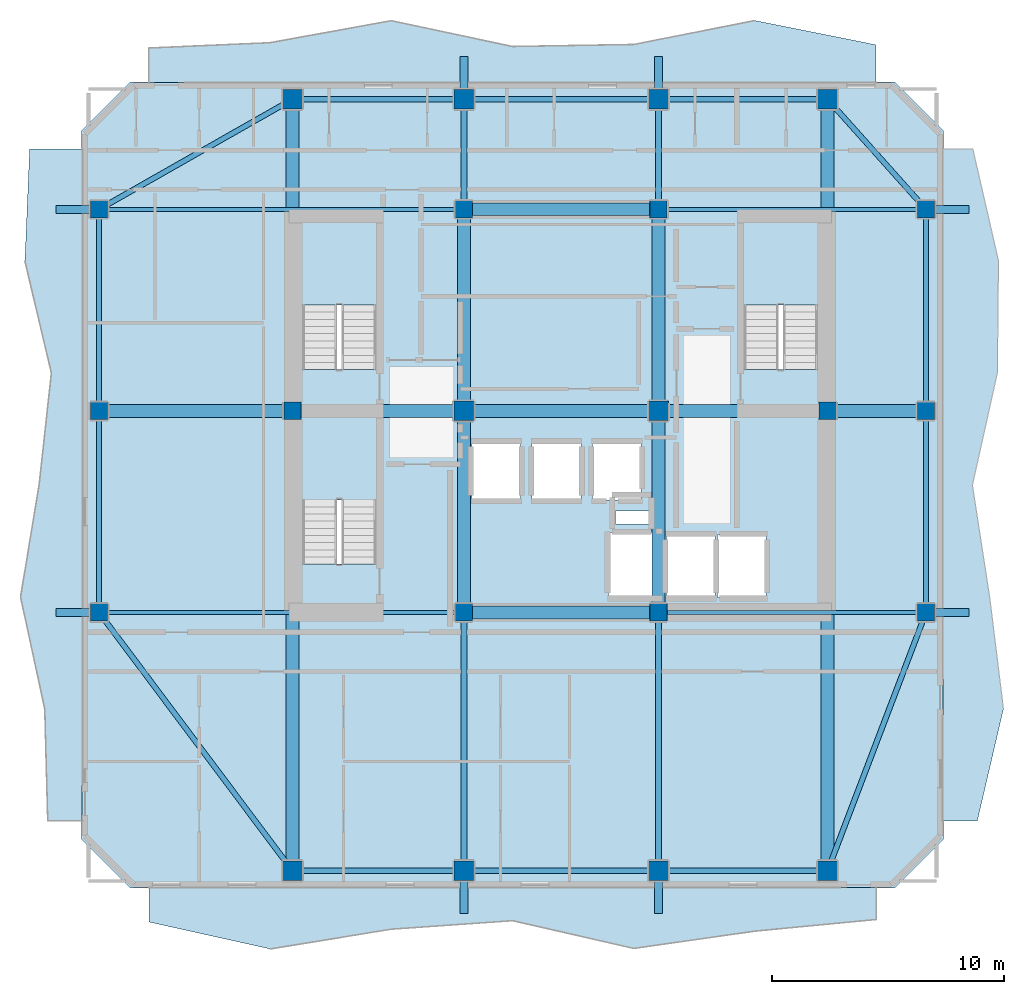
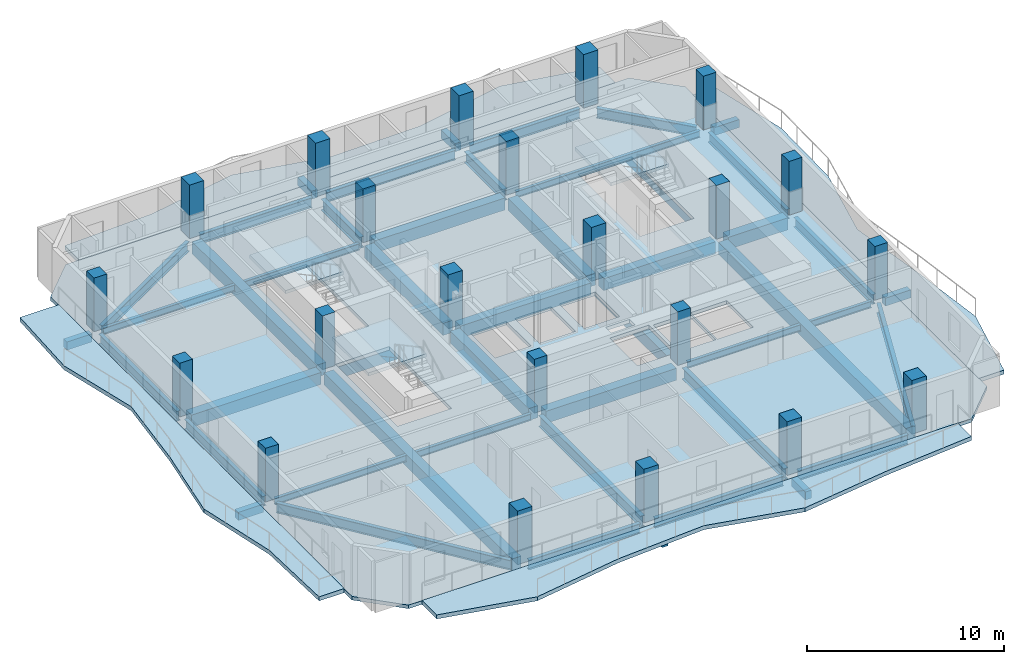
# One storey, part 1 of 10: 45 beams, 22 columns, 8 slabs, 3 elements without a shape of their own.
"""IFC4 building model written with IfcOpenShell, lengths in metres."""

from ifc_helpers import new_model, si_unit, direction, frame, origin, origin_2d, place, context, subcontext, project, spatial, polyline, rectangle, i_section, outline, extrude, material, layer, layer_set, material_profile, profile_set, type_object, element, aggregate, save


model = new_model("IFC4")

# Units and contexts
model_context = context("Model", 3, precision=1e-05, world=origin(), true_north=direction((0.0, 1.0)))
body_context = subcontext(model_context, "Body", "Model", "MODEL_VIEW")
ifc_project = project(units=[si_unit("LENGTHUNIT", "METRE"), si_unit("AREAUNIT", "SQUARE_METRE"), si_unit("VOLUMEUNIT", "CUBIC_METRE"), si_unit("PLANEANGLEUNIT", "RADIAN"), si_unit("MASSUNIT", "GRAM", prefix="KILO")], contexts=[model_context])

# Site, building, storey
site_placement = place(None, origin())
site = spatial("IfcSite", under=ifc_project, at=site_placement, CompositionType="ELEMENT")
building_placement = place(site_placement, origin())
building = spatial("IfcBuilding", under=site, at=building_placement, Name="Solanera Arch Residences", CompositionType="ELEMENT")
storey_placement = place(building_placement, frame((0.0, 0.0, 203.43994140625)))
storey = spatial("IfcBuildingStorey", under=building, at=storey_placement, Name="L59", CompositionType="ELEMENT", Elevation=203.43994140625)

# Columns
ifc_material_1 = material(Name="Concrete C40/50 (f'c = 45 MPa)", Category="concrete")
ifc_material_profile_1 = material_profile(ifc_material_1, rectangle(XDim=0.75, YDim=0.75, at=origin_2d()))
ifc_profile_set_1 = profile_set([ifc_material_profile_1], Name="Concrete C40/50 (f'c = 45 MPa)")
column_type_1 = type_object("IfcColumnType", Name="Structural Column RC-COL-750X750", PredefinedType="COLUMN", material=ifc_profile_set_1)
for number, where, z_axis, x_axis, name in (
    (1, (20.800048828125, 22.0, 0.0), (0.0, 0.0, 1.0), (1.0, 0.0, 0.0), "COL-L59-CB-SW"),
    (2, (29.199951171875, 22.0, 0.0), (0.0, 0.0, 1.0), (1.0, 0.0, 0.0), "COL-L59-CB-SE"),
    (3, (20.800048828125, 39.39990234375, 0.0), (0.0, 0.0, 1.0), (1.0, 0.0, 0.0), "COL-L59-CB-NW"),
    (4, (29.199951171875, 39.39990234375, 0.0), (0.0, 0.0, 1.0), (1.0, 0.0, 0.0), "COL-L59-CB-NE"),
    (5, (13.39990234375, 30.699951171875, 0.0), (0.0, 0.0, 1.0), (1.0, 0.0, 0.0), "COL-L59-CB-WW"),
    (6, (36.5, 30.699951171875, 0.0), (0.0, 0.0, 1.0), (1.0, 0.0, 0.0), "COL-L59-CB-EE"),
    (7, (5.050048828125, 22.0, 0.0), (0.0, 0.0, 1.0), (1.0, 0.0, 0.0), "COL-L59-TWR-09"),
    (8, (40.75, 22.0, 0.0), (0.0, 0.0, 1.0), (1.0, 0.0, 0.0), "COL-L59-TWR-10"),
    (9, (5.050048828125, 30.699951171875, 0.0), (0.0, 0.0, 1.0), (1.0, 0.0, 0.0), "COL-L59-TWR-11"),
    (10, (40.75, 30.699951171875, 0.0), (0.0, 0.0, 1.0), (1.0, 0.0, 0.0), "COL-L59-TWR-12"),
    (11, (5.050048828125, 39.39990234375, 0.0), (0.0, 0.0, 1.0), (1.0, 0.0, 0.0), "COL-L59-TWR-13"),
    (12, (40.75, 39.39990234375, 0.0), (0.0, 0.0, 1.0), (1.0, 0.0, 0.0), "COL-L59-TWR-14"),
):
    element("IfcColumn", number, at=place(storey_placement, frame(where, z_axis=z_axis, x_axis=x_axis)), inside=storey, type_object=column_type_1, Name=name, PredefinedType="COLUMN", context=body_context, shape_type="SweptSolid", body=[
        extrude(rectangle(XDim=0.75, YDim=0.75, at=origin_2d()), origin(), (0.0, 0.0, 1.0), 3.320068359375),
    ])
ifc_material_2 = material(Name="Concrete C40/50 (f'c = 45 MPa)", Category="concrete")
ifc_material_profile_2 = material_profile(ifc_material_2, rectangle(XDim=0.85009765625, YDim=0.85009765625, at=origin_2d()))
ifc_profile_set_2 = profile_set([ifc_material_profile_2], Name="Concrete C40/50 (f'c = 45 MPa)")
column_type_2 = type_object("IfcColumnType", Name="Structural Column RC-COL-850X850", PredefinedType="COLUMN", material=ifc_profile_set_2)
for number, where, z_axis, x_axis, name in (
    (13, (20.800048828125, 30.699951171875, 0.0), (0.0, 0.0, 1.0), (1.0, 0.0, 0.0), "COL-L59-CORE-W"),
    (14, (29.199951171875, 30.699951171875, 0.0), (0.0, 0.0, 1.0), (1.0, 0.0, 0.0), "COL-L59-CORE-E"),
    (15, (13.39990234375, 10.85009765625, 0.0), (0.0, 0.0, 1.0), (1.0, 0.0, 0.0), "COL-L59-TWR-01"),
    (16, (13.39990234375, 44.14990234375, 0.0), (0.0, 0.0, 1.0), (1.0, 0.0, 0.0), "COL-L59-TWR-02"),
    (17, (20.800048828125, 10.85009765625, 0.0), (0.0, 0.0, 1.0), (1.0, 0.0, 0.0), "COL-L59-TWR-03"),
    (18, (20.800048828125, 44.14990234375, 0.0), (0.0, 0.0, 1.0), (1.0, 0.0, 0.0), "COL-L59-TWR-04"),
    (19, (29.199951171875, 10.85009765625, 0.0), (0.0, 0.0, 1.0), (1.0, 0.0, 0.0), "COL-L59-TWR-05"),
    (20, (29.199951171875, 44.14990234375, 0.0), (0.0, 0.0, 1.0), (1.0, 0.0, 0.0), "COL-L59-TWR-06"),
    (21, (36.5, 10.85009765625, 0.0), (0.0, 0.0, 1.0), (1.0, 0.0, 0.0), "COL-L59-TWR-07"),
    (22, (36.5, 44.14990234375, 0.0), (0.0, 0.0, 1.0), (1.0, 0.0, 0.0), "COL-L59-TWR-08"),
):
    element("IfcColumn", number, at=place(storey_placement, frame(where, z_axis=z_axis, x_axis=x_axis)), inside=storey, type_object=column_type_2, Name=name, PredefinedType="COLUMN", context=body_context, shape_type="SweptSolid", body=[
        extrude(rectangle(XDim=0.85009765625, YDim=0.85009765625, at=origin_2d()), origin(), (0.0, 0.0, 1.0), 3.320068359375),
    ])

# Beams
ifc_material_3 = material(Name="Concrete C40/50 (f'c = 45 MPa)", Category="concrete")
ifc_material_profile_3 = material_profile(ifc_material_3, rectangle(XDim=0.35009765625, YDim=0.5, at=origin_2d()))
ifc_profile_set_3 = profile_set([ifc_material_profile_3], Name="Concrete C40/50 (f'c = 45 MPa)")
beam_type_1 = type_object("IfcBeamType", Name="BM-BALC-RIB", PredefinedType="BEAM", material=ifc_profile_set_3)
for number, where, z_axis, x_axis, name in (
    (23, (20.800048828125, 9.0, -0.5), (0.0, 1.0, 0.0), (-1.0, 0.0, 0.0), "BM-L59-BRIB-S1"),
    (24, (29.199951171875, 9.0, -0.5), (0.0, 1.0, 0.0), (-1.0, 0.0, 0.0), "BM-L59-BRIB-S2"),
    (25, (20.800048828125, 44.574951171875, -0.5), (0.0, 1.0, 0.0), (-1.0, 0.0, 0.0), "BM-L59-BRIB-N1"),
    (26, (29.199951171875, 44.574951171875, -0.5), (0.0, 1.0, 0.0), (-1.0, 0.0, 0.0), "BM-L59-BRIB-N2"),
):
    element("IfcBeam", number, at=place(storey_placement, frame(where, z_axis=z_axis, x_axis=x_axis)), inside=storey, type_object=beam_type_1, Name=name, PredefinedType="BEAM", context=body_context, shape_type="SweptSolid", body=[
        extrude(rectangle(XDim=0.35009765625, YDim=0.5, at=origin_2d()), origin(), (0.0, 0.0, 1.0), 1.425048828125),
    ])
for number, where, z_axis, x_axis, name in (
    (27, (41.125, 22.0, -0.5), (1.0, 0.0, 0.0), (0.0, 1.0, 0.0), "BM-L59-BRIB-E1"),
    (28, (41.125, 39.39990234375, -0.5), (1.0, 0.0, 0.0), (0.0, 1.0, 0.0), "BM-L59-BRIB-E2"),
    (29, (3.199951171875, 22.0, -0.5), (1.0, 0.0, 0.0), (0.0, 1.0, 0.0), "BM-L59-BRIB-W1"),
    (30, (3.199951171875, 39.39990234375, -0.5), (1.0, 0.0, 0.0), (0.0, 1.0, 0.0), "BM-L59-BRIB-W2"),
):
    element("IfcBeam", number, at=place(storey_placement, frame(where, z_axis=z_axis, x_axis=x_axis)), inside=storey, type_object=beam_type_1, Name=name, PredefinedType="BEAM", context=body_context, shape_type="SweptSolid", body=[
        extrude(rectangle(XDim=0.35009765625, YDim=0.5, at=origin_2d()), origin(), (0.0, 0.0, 1.0), 1.47509765625),
    ])
ifc_material_4 = material(Name="Concrete C40/50 (f'c = 45 MPa)", Category="concrete")
ifc_material_profile_4 = material_profile(ifc_material_4, rectangle(XDim=0.550048828125, YDim=0.75, at=origin_2d()))
ifc_profile_set_4 = profile_set([ifc_material_profile_4], Name="Concrete C40/50 (f'c = 45 MPa)")
beam_type_2 = type_object("IfcBeamType", Name="Primary Beam RC-BM-550X750", PredefinedType="BEAM", material=ifc_profile_set_4)
beam_1_placement = place(storey_placement, frame((20.800048828125, 22.37890625, -0.594970703125), z_axis=(0.0, 1.0, 0.0), x_axis=(-1.0, 0.0, 0.0)))
element("IfcBeam", 31, at=beam_1_placement, inside=storey, type_object=beam_type_2, Name="BM-L59-CC-S-208", PredefinedType="BEAM", context=body_context, shape_type="SweptSolid", body=[
    extrude(rectangle(XDim=0.550048828125, YDim=0.75, at=origin_2d()), origin(), (0.0, 0.0, 1.0), 7.942138671875),
])
beam_2_placement = place(storey_placement, frame((20.800048828125, 31.0791015625, -0.594970703125), z_axis=(0.0, 1.0, 0.0), x_axis=(-1.0, 0.0, 0.0)))
element("IfcBeam", 32, at=beam_2_placement, inside=storey, type_object=beam_type_2, Name="BM-L59-CC-N-208", PredefinedType="BEAM", context=body_context, shape_type="SweptSolid", body=[
    extrude(rectangle(XDim=0.550048828125, YDim=0.75, at=origin_2d()), origin(), (0.0, 0.0, 1.0), 7.94189453125),
])
beam_3_placement = place(storey_placement, frame((29.199951171875, 22.37890625, -0.594970703125), z_axis=(0.0, 1.0, 0.0), x_axis=(-1.0, 0.0, 0.0)))
element("IfcBeam", 33, at=beam_3_placement, inside=storey, type_object=beam_type_2, Name="BM-L59-CC-S-292", PredefinedType="BEAM", context=body_context, shape_type="SweptSolid", body=[
    extrude(rectangle(XDim=0.550048828125, YDim=0.75, at=origin_2d()), origin(), (0.0, 0.0, 1.0), 7.942138671875),
])
beam_4_placement = place(storey_placement, frame((29.199951171875, 31.0791015625, -0.594970703125), z_axis=(0.0, 1.0, 0.0), x_axis=(-1.0, 0.0, 0.0)))
element("IfcBeam", 34, at=beam_4_placement, inside=storey, type_object=beam_type_2, Name="BM-L59-CC-N-292", PredefinedType="BEAM", context=body_context, shape_type="SweptSolid", body=[
    extrude(rectangle(XDim=0.550048828125, YDim=0.75, at=origin_2d()), origin(), (0.0, 0.0, 1.0), 7.94189453125),
])
for number, where, z_axis, x_axis, name in (
    (35, (21.178955078125, 22.0, -0.594970703125), (1.0, 0.0, 0.0), (0.0, 1.0, 0.0), "BM-L59-CC-M-220"),
    (36, (21.178955078125, 30.699951171875, -0.594970703125), (1.0, 0.0, 0.0), (0.0, 1.0, 0.0), "BM-L59-CC-M-307"),
    (37, (21.178955078125, 39.39990234375, -0.594970703125), (1.0, 0.0, 0.0), (0.0, 1.0, 0.0), "BM-L59-CC-M-394"),
):
    element("IfcBeam", number, at=place(storey_placement, frame(where, z_axis=z_axis, x_axis=x_axis)), inside=storey, type_object=beam_type_2, Name=name, PredefinedType="BEAM", context=body_context, shape_type="SweptSolid", body=[
        extrude(rectangle(XDim=0.550048828125, YDim=0.75, at=origin_2d()), origin(), (0.0, 0.0, 1.0), 7.64208984375),
    ])
beam_5_placement = place(storey_placement, frame((13.779052734375, 30.699951171875, -0.594970703125), z_axis=(1.0, 0.0, 0.0), x_axis=(0.0, 1.0, 0.0)))
element("IfcBeam", 38, at=beam_5_placement, inside=storey, type_object=beam_type_2, Name="BM-L59-CC-W", PredefinedType="BEAM", context=body_context, shape_type="SweptSolid", body=[
    extrude(rectangle(XDim=0.550048828125, YDim=0.75, at=origin_2d()), origin(), (0.0, 0.0, 1.0), 6.641845703125),
])
beam_6_placement = place(storey_placement, frame((29.5791015625, 30.699951171875, -0.594970703125), z_axis=(1.0, 0.0, 0.0), x_axis=(0.0, 1.0, 0.0)))
element("IfcBeam", 39, at=beam_6_placement, inside=storey, type_object=beam_type_2, Name="BM-L59-CC-E", PredefinedType="BEAM", context=body_context, shape_type="SweptSolid", body=[
    extrude(rectangle(XDim=0.550048828125, YDim=0.75, at=origin_2d()), origin(), (0.0, 0.0, 1.0), 6.5419921875),
])
beam_7_placement = place(storey_placement, frame((13.39990234375, 11.279052734375, -0.594970703125), z_axis=(0.0, 1.0, 0.0), x_axis=(-1.0, 0.0, 0.0)))
element("IfcBeam", 40, at=beam_7_placement, inside=storey, type_object=beam_type_2, Name="BM-L59-RAD-OS-134", PredefinedType="BEAM", context=body_context, shape_type="SweptSolid", body=[
    extrude(rectangle(XDim=0.550048828125, YDim=0.75, at=origin_2d()), origin(), (0.0, 0.0, 1.0), 19.0419921875),
])
beam_8_placement = place(storey_placement, frame((13.39990234375, 31.0791015625, -0.594970703125), z_axis=(0.0, 1.0, 0.0), x_axis=(-1.0, 0.0, 0.0)))
element("IfcBeam", 41, at=beam_8_placement, inside=storey, type_object=beam_type_2, Name="BM-L59-RAD-ON-134", PredefinedType="BEAM", context=body_context, shape_type="SweptSolid", body=[
    extrude(rectangle(XDim=0.550048828125, YDim=0.75, at=origin_2d()), origin(), (0.0, 0.0, 1.0), 12.641845703125),
])
beam_9_placement = place(storey_placement, frame((36.5, 11.279052734375, -0.594970703125), z_axis=(0.0, 1.0, 0.0), x_axis=(-1.0, 0.0, 0.0)))
element("IfcBeam", 42, at=beam_9_placement, inside=storey, type_object=beam_type_2, Name="BM-L59-RAD-OS-365", PredefinedType="BEAM", context=body_context, shape_type="SweptSolid", body=[
    extrude(rectangle(XDim=0.550048828125, YDim=0.75, at=origin_2d()), origin(), (0.0, 0.0, 1.0), 19.0419921875),
])
beam_10_placement = place(storey_placement, frame((36.5, 31.0791015625, -0.594970703125), z_axis=(0.0, 1.0, 0.0), x_axis=(-1.0, 0.0, 0.0)))
element("IfcBeam", 43, at=beam_10_placement, inside=storey, type_object=beam_type_2, Name="BM-L59-RAD-ON-365", PredefinedType="BEAM", context=body_context, shape_type="SweptSolid", body=[
    extrude(rectangle(XDim=0.550048828125, YDim=0.75, at=origin_2d()), origin(), (0.0, 0.0, 1.0), 12.641845703125),
])
beam_11_placement = place(storey_placement, frame((5.428955078125, 30.699951171875, -0.594970703125), z_axis=(1.0, 0.0, 0.0), x_axis=(0.0, 1.0, 0.0)))
element("IfcBeam", 44, at=beam_11_placement, inside=storey, type_object=beam_type_2, Name="BM-L59-RAD-MW", PredefinedType="BEAM", context=body_context, shape_type="SweptSolid", body=[
    extrude(rectangle(XDim=0.550048828125, YDim=0.75, at=origin_2d()), origin(), (0.0, 0.0, 1.0), 7.592041015625),
])
beam_12_placement = place(storey_placement, frame((36.87890625, 30.699951171875, -0.594970703125), z_axis=(1.0, 0.0, 0.0), x_axis=(0.0, 1.0, 0.0)))
element("IfcBeam", 45, at=beam_12_placement, inside=storey, type_object=beam_type_2, Name="BM-L59-RAD-ME", PredefinedType="BEAM", context=body_context, shape_type="SweptSolid", body=[
    extrude(rectangle(XDim=0.550048828125, YDim=0.75, at=origin_2d()), origin(), (0.0, 0.0, 1.0), 3.4921875),
])
ifc_material_5 = material(Name="Steel S355 (ASTM A992 / A572 Grade 50)", Category="steel")
ifc_material_profile_5 = material_profile(ifc_material_5, i_section(OverallWidth=0.256103515625, OverallDepth=0.693115234375, WebThickness=0.014404296875, FlangeThickness=0.023681640625, at=origin_2d()))
ifc_profile_set_5 = profile_set([ifc_material_profile_5], Name="Steel S355 (ASTM A992 / A572 Grade 50)")
beam_type_3 = type_object("IfcBeamType", Name="Primary Beam W690X170", PredefinedType="BEAM", material=ifc_profile_set_5)
beam_13_placement = place(storey_placement, frame((20.800048828125, 11.279052734375, -0.56591796875), z_axis=(0.0, 1.0, 0.0), x_axis=(-1.0, 0.0, 0.0)))
element("IfcBeam", 46, at=beam_13_placement, inside=storey, type_object=beam_type_3, Name="BM-L59-RAD-S-208", PredefinedType="BEAM", context=body_context, shape_type="SweptSolid", body=[
    extrude(i_section(OverallWidth=0.256103515625, OverallDepth=0.693115234375, WebThickness=0.014404296875, FlangeThickness=0.023681640625, at=origin_2d()), origin(), (0.0, 0.0, 1.0), 10.342041015625),
])
beam_14_placement = place(storey_placement, frame((20.800048828125, 39.779052734375, -0.56591796875), z_axis=(0.0, 1.0, 0.0), x_axis=(-1.0, 0.0, 0.0)))
element("IfcBeam", 47, at=beam_14_placement, inside=storey, type_object=beam_type_3, Name="BM-L59-RAD-N-208", PredefinedType="BEAM", context=body_context, shape_type="SweptSolid", body=[
    extrude(i_section(OverallWidth=0.256103515625, OverallDepth=0.693115234375, WebThickness=0.014404296875, FlangeThickness=0.023681640625, at=origin_2d()), origin(), (0.0, 0.0, 1.0), 3.94189453125),
])
beam_15_placement = place(storey_placement, frame((29.199951171875, 11.279052734375, -0.56591796875), z_axis=(0.0, 1.0, 0.0), x_axis=(-1.0, 0.0, 0.0)))
element("IfcBeam", 48, at=beam_15_placement, inside=storey, type_object=beam_type_3, Name="BM-L59-RAD-S-292", PredefinedType="BEAM", context=body_context, shape_type="SweptSolid", body=[
    extrude(i_section(OverallWidth=0.256103515625, OverallDepth=0.693115234375, WebThickness=0.014404296875, FlangeThickness=0.023681640625, at=origin_2d()), origin(), (0.0, 0.0, 1.0), 10.342041015625),
])
beam_16_placement = place(storey_placement, frame((29.199951171875, 39.779052734375, -0.56591796875), z_axis=(0.0, 1.0, 0.0), x_axis=(-1.0, 0.0, 0.0)))
element("IfcBeam", 49, at=beam_16_placement, inside=storey, type_object=beam_type_3, Name="BM-L59-RAD-N-292", PredefinedType="BEAM", context=body_context, shape_type="SweptSolid", body=[
    extrude(i_section(OverallWidth=0.256103515625, OverallDepth=0.693115234375, WebThickness=0.014404296875, FlangeThickness=0.023681640625, at=origin_2d()), origin(), (0.0, 0.0, 1.0), 3.94189453125),
])
ifc_material_6 = material(Name="Steel S355 (ASTM A992 / A572 Grade 50)", Category="steel")
ifc_material_profile_6 = material_profile(ifc_material_6, i_section(OverallWidth=0.178955078125, OverallDepth=0.409912109375, WebThickness=0.0087890625, FlangeThickness=0.014404296875, at=origin_2d()))
ifc_profile_set_6 = profile_set([ifc_material_profile_6], Name="Steel S355 (ASTM A992 / A572 Grade 50)")
beam_type_4 = type_object("IfcBeamType", Name="Secondary Joist W410X67", PredefinedType="JOIST", material=ifc_profile_set_6)
beam_17_placement = place(storey_placement, frame((5.428955078125, 22.0, -0.425048828125), z_axis=(1.0, 0.0, 0.0), x_axis=(0.0, 1.0, 0.0)))
element("IfcBeam", 50, at=beam_17_placement, inside=storey, type_object=beam_type_4, Name="BM-L59-RAD-W-220", PredefinedType="JOIST", context=body_context, shape_type="SweptSolid", body=[
    extrude(i_section(OverallWidth=0.178955078125, OverallDepth=0.409912109375, WebThickness=0.0087890625, FlangeThickness=0.014404296875, at=origin_2d()), origin(), (0.0, 0.0, 1.0), 14.991943359375),
])
beam_18_placement = place(storey_placement, frame((29.5791015625, 22.0, -0.425048828125), z_axis=(1.0, 0.0, 0.0), x_axis=(0.0, 1.0, 0.0)))
element("IfcBeam", 51, at=beam_18_placement, inside=storey, type_object=beam_type_4, Name="BM-L59-RAD-E-220", PredefinedType="JOIST", context=body_context, shape_type="SweptSolid", body=[
    extrude(i_section(OverallWidth=0.178955078125, OverallDepth=0.409912109375, WebThickness=0.0087890625, FlangeThickness=0.014404296875, at=origin_2d()), origin(), (0.0, 0.0, 1.0), 10.7919921875),
])
beam_19_placement = place(storey_placement, frame((5.428955078125, 39.39990234375, -0.425048828125), z_axis=(1.0, 0.0, 0.0), x_axis=(0.0, 1.0, 0.0)))
element("IfcBeam", 52, at=beam_19_placement, inside=storey, type_object=beam_type_4, Name="BM-L59-RAD-W-394", PredefinedType="JOIST", context=body_context, shape_type="SweptSolid", body=[
    extrude(i_section(OverallWidth=0.178955078125, OverallDepth=0.409912109375, WebThickness=0.0087890625, FlangeThickness=0.014404296875, at=origin_2d()), origin(), (0.0, 0.0, 1.0), 14.991943359375),
])
beam_20_placement = place(storey_placement, frame((29.5791015625, 39.39990234375, -0.425048828125), z_axis=(1.0, 0.0, 0.0), x_axis=(0.0, 1.0, 0.0)))
element("IfcBeam", 53, at=beam_20_placement, inside=storey, type_object=beam_type_4, Name="BM-L59-RAD-E-394", PredefinedType="JOIST", context=body_context, shape_type="SweptSolid", body=[
    extrude(i_section(OverallWidth=0.178955078125, OverallDepth=0.409912109375, WebThickness=0.0087890625, FlangeThickness=0.014404296875, at=origin_2d()), origin(), (0.0, 0.0, 1.0), 10.7919921875),
])
ifc_material_7 = material(Name="Steel S355 (ASTM A992 / A572 Grade 50)", Category="steel")
ifc_material_profile_7 = material_profile(ifc_material_7, i_section(OverallWidth=0.22802734375, OverallDepth=0.60791015625, WebThickness=0.01123046875, FlangeThickness=0.017333984375, at=origin_2d()))
ifc_profile_set_7 = profile_set([ifc_material_profile_7], Name="Steel S355 (ASTM A992 / A572 Grade 50)")
beam_type_5 = type_object("IfcBeamType", Name="Spandrel Beam W610X113", PredefinedType="SPANDREL", material=ifc_profile_set_7)
for number, where, z_axis, x_axis, name in (
    (54, (13.8291015625, 10.85009765625, -0.52392578125), (1.0, 0.0, 0.0), (0.0, 1.0, 0.0), "BM-L59-SPN-S-1"),
    (55, (13.8291015625, 44.14990234375, -0.52392578125), (1.0, 0.0, 0.0), (0.0, 1.0, 0.0), "BM-L59-SPN-N-1"),
):
    element("IfcBeam", number, at=place(storey_placement, frame(where, z_axis=z_axis, x_axis=x_axis)), inside=storey, type_object=beam_type_5, Name=name, PredefinedType="SPANDREL", context=body_context, shape_type="SweptSolid", body=[
        extrude(i_section(OverallWidth=0.22802734375, OverallDepth=0.60791015625, WebThickness=0.01123046875, FlangeThickness=0.017333984375, at=origin_2d()), origin(), (0.0, 0.0, 1.0), 6.5419921875),
    ])
for number, where, z_axis, x_axis, name in (
    (56, (21.22900390625, 10.85009765625, -0.52392578125), (1.0, 0.0, 0.0), (0.0, 1.0, 0.0), "BM-L59-SPN-S-2"),
    (57, (21.22900390625, 44.14990234375, -0.52392578125), (1.0, 0.0, 0.0), (0.0, 1.0, 0.0), "BM-L59-SPN-N-2"),
):
    element("IfcBeam", number, at=place(storey_placement, frame(where, z_axis=z_axis, x_axis=x_axis)), inside=storey, type_object=beam_type_5, Name=name, PredefinedType="SPANDREL", context=body_context, shape_type="SweptSolid", body=[
        extrude(i_section(OverallWidth=0.22802734375, OverallDepth=0.60791015625, WebThickness=0.01123046875, FlangeThickness=0.017333984375, at=origin_2d()), origin(), (0.0, 0.0, 1.0), 7.5419921875),
    ])
for number, where, z_axis, x_axis, name in (
    (58, (29.62890625, 10.85009765625, -0.52392578125), (1.0, 0.0, 0.0), (0.0, 1.0, 0.0), "BM-L59-SPN-S-3"),
    (59, (29.62890625, 44.14990234375, -0.52392578125), (1.0, 0.0, 0.0), (0.0, 1.0, 0.0), "BM-L59-SPN-N-3"),
):
    element("IfcBeam", number, at=place(storey_placement, frame(where, z_axis=z_axis, x_axis=x_axis)), inside=storey, type_object=beam_type_5, Name=name, PredefinedType="SPANDREL", context=body_context, shape_type="SweptSolid", body=[
        extrude(i_section(OverallWidth=0.22802734375, OverallDepth=0.60791015625, WebThickness=0.01123046875, FlangeThickness=0.017333984375, at=origin_2d()), origin(), (0.0, 0.0, 1.0), 6.442138671875),
    ])
for number, where, z_axis, x_axis, name in (
    (60, (5.050048828125, 22.37890625, -0.52392578125), (0.0, 1.0, 0.0), (-1.0, 0.0, 0.0), "BM-L59-SPN-W-1"),
    (61, (40.75, 22.37890625, -0.52392578125), (0.0, 1.0, 0.0), (-1.0, 0.0, 0.0), "BM-L59-SPN-E-1"),
):
    element("IfcBeam", number, at=place(storey_placement, frame(where, z_axis=z_axis, x_axis=x_axis)), inside=storey, type_object=beam_type_5, Name=name, PredefinedType="SPANDREL", context=body_context, shape_type="SweptSolid", body=[
        extrude(i_section(OverallWidth=0.22802734375, OverallDepth=0.60791015625, WebThickness=0.01123046875, FlangeThickness=0.017333984375, at=origin_2d()), origin(), (0.0, 0.0, 1.0), 7.942138671875),
    ])
for number, where, z_axis, x_axis, name in (
    (62, (5.050048828125, 31.0791015625, -0.52392578125), (0.0, 1.0, 0.0), (-1.0, 0.0, 0.0), "BM-L59-SPN-W-2"),
    (63, (40.75, 31.0791015625, -0.52392578125), (0.0, 1.0, 0.0), (-1.0, 0.0, 0.0), "BM-L59-SPN-E-2"),
):
    element("IfcBeam", number, at=place(storey_placement, frame(where, z_axis=z_axis, x_axis=x_axis)), inside=storey, type_object=beam_type_5, Name=name, PredefinedType="SPANDREL", context=body_context, shape_type="SweptSolid", body=[
        extrude(i_section(OverallWidth=0.22802734375, OverallDepth=0.60791015625, WebThickness=0.01123046875, FlangeThickness=0.017333984375, at=origin_2d()), origin(), (0.0, 0.0, 1.0), 7.94189453125),
    ])
beam_21_placement = place(storey_placement, frame((13.0791015625, 11.278076171875, -0.52392578125), z_axis=(-0.599410401798, 0.80044185936, 0.0), x_axis=(-0.80044185936, -0.599410401798, 0.0)))
element("IfcBeam", 64, at=beam_21_placement, inside=storey, type_object=beam_type_5, Name="BM-L59-SPN-SW", PredefinedType="SPANDREL", context=body_context, shape_type="SweptSolid", body=[
    extrude(i_section(OverallWidth=0.22802734375, OverallDepth=0.60791015625, WebThickness=0.01123046875, FlangeThickness=0.017333984375, at=origin_2d()), origin(), (0.0, 0.0, 1.0), 12.9228515625),
])
beam_22_placement = place(storey_placement, frame((12.971923828125, 43.906005859375, -0.52392578125), z_axis=(-0.869224697454, -0.494417258332, 0.0), x_axis=(0.494417258332, -0.869224697454, 0.0)))
element("IfcBeam", 65, at=beam_22_placement, inside=storey, type_object=beam_type_5, Name="BM-L59-SPN-NW", PredefinedType="SPANDREL", context=body_context, shape_type="SweptSolid", body=[
    extrude(i_section(OverallWidth=0.22802734375, OverallDepth=0.60791015625, WebThickness=0.01123046875, FlangeThickness=0.017333984375, at=origin_2d()), origin(), (0.0, 0.0, 1.0), 8.678955078125),
])
beam_23_placement = place(storey_placement, frame((36.6630859375, 11.279052734375, -0.52392578125), z_axis=(0.356235638105, 0.93439615268, 0.0), x_axis=(-0.93439615268, 0.356235638105, 0.0)))
element("IfcBeam", 66, at=beam_23_placement, inside=storey, type_object=beam_type_5, Name="BM-L59-SPN-SE", PredefinedType="SPANDREL", context=body_context, shape_type="SweptSolid", body=[
    extrude(i_section(OverallWidth=0.22802734375, OverallDepth=0.60791015625, WebThickness=0.01123046875, FlangeThickness=0.017333984375, at=origin_2d()), origin(), (0.0, 0.0, 1.0), 11.068115234375),
])
beam_24_placement = place(storey_placement, frame((36.860107421875, 43.748046875, -0.52392578125), z_axis=(0.66678682148, -0.745248505333, 0.0), x_axis=(0.745248505333, 0.66678682148, 0.0)))
element("IfcBeam", 67, at=beam_24_placement, inside=storey, type_object=beam_type_5, Name="BM-L59-SPN-NE", PredefinedType="SPANDREL", context=body_context, shape_type="SweptSolid", body=[
    extrude(i_section(OverallWidth=0.22802734375, OverallDepth=0.60791015625, WebThickness=0.01123046875, FlangeThickness=0.017333984375, at=origin_2d()), origin(), (0.0, 0.0, 1.0), 5.3271484375),
])

# Slabs
ifc_material_8 = material(Name="Concrete C40/50 (f'c = 45 MPa)", Category="concrete")
ifc_layer_1 = layer(ifc_material_8, 0.25)
ifc_layer_set_1 = layer_set([ifc_layer_1], Name="Concrete C40/50 (f'c = 45 MPa)")
slab_type_1 = type_object("IfcSlabType", Name="Balcony Slab 250", PredefinedType="FLOOR", material=ifc_layer_set_1)
slab_1_placement = place(storey_placement, frame((0.0, 0.0, -0.25)))
element("IfcSlab", 68, at=slab_1_placement, inside=storey, type_object=slab_type_1, Name="L59 S Rippling Brise-Soleil Balcony Slab", PredefinedType="FLOOR", context=body_context, shape_type="SweptSolid", body=[
    extrude(outline(polyline([(7.199951171875, 8.635009765625), (12.43310546875, 7.471923828125), (17.6669921875, 8.325927734375), (22.89990234375, 8.694091796875), (28.133056640625, 7.4970703125), (33.366943359375, 8.242919921875), (38.60009765625, 8.7451171875), (38.60009765625, 10.1201171875), (7.199951171875, 10.1201171875), (7.199951171875, 8.635009765625)])), origin(), (0.0, 0.0, 1.0), 0.25),
])
slab_2_placement = place(storey_placement, frame((0.0, 0.0, -0.25)))
element("IfcSlab", 69, at=slab_2_placement, inside=storey, type_object=slab_type_1, Name="L59 N Rippling Brise-Soleil Balcony Slab", PredefinedType="FLOOR", context=body_context, shape_type="SweptSolid", body=[
    extrude(outline(polyline([(38.60009765625, 46.5009765625), (33.366943359375, 47.550048828125), (28.133056640625, 46.51806640625), (22.89990234375, 46.429931640625), (17.6669921875, 47.5439453125), (12.43310546875, 46.593994140625), (7.199951171875, 46.364990234375), (7.199951171875, 44.8798828125), (38.60009765625, 44.8798828125), (38.60009765625, 46.5009765625)])), origin(), (0.0, 0.0, 1.0), 0.25),
])
slab_3_placement = place(storey_placement, frame((0.0, 0.0, -0.25)))
element("IfcSlab", 70, at=slab_3_placement, inside=storey, type_object=slab_type_1, Name="L59 E Rippling Brise-Soleil Balcony Slab", PredefinedType="FLOOR", context=body_context, shape_type="SweptSolid", body=[
    extrude(outline(polyline([(42.965087890625, 13.0), (44.092041015625, 17.8330078125), (43.49609375, 22.6669921875), (42.751953125, 27.5), (43.826904296875, 32.3330078125), (43.8798828125, 37.1669921875), (42.77099609375, 42.0), (41.47998046875, 42.0), (41.47998046875, 13.0), (42.965087890625, 13.0)])), origin(), (0.0, 0.0, 1.0), 0.25),
])
slab_4_placement = place(storey_placement, frame((0.0, 0.0, -0.25)))
element("IfcSlab", 71, at=slab_4_placement, inside=storey, type_object=slab_type_1, Name="L59 W Rippling Brise-Soleil Balcony Slab", PredefinedType="FLOOR", context=body_context, shape_type="SweptSolid", body=[
    extrude(outline(polyline([(2.053955078125, 42.0), (1.85107421875, 37.1669921875), (2.992919921875, 32.3330078125), (2.4619140625, 27.5), (1.662109375, 22.6669921875), (2.70703125, 17.8330078125), (2.8349609375, 13.0), (4.320068359375, 13.0), (4.320068359375, 42.0), (2.053955078125, 42.0)])), origin(), (0.0, 0.0, 1.0), 0.25),
])

# Stair, slab
ifc_material_9 = material(Name="Concrete C40/50 (f'c = 45 MPa)", Category="concrete")
stair_type = type_object("IfcStairType", Name="Tower Dogleg Exit Stair 1480", PredefinedType="HALF_TURN_STAIR", material=ifc_material_9)
stair_1_placement = place(storey_placement, origin())
stair_1 = element("IfcStair", 72, at=stair_1_placement, inside=storey, type_object=stair_type, Name="L59 Tower Core Exit Stair 1", PredefinedType="HALF_TURN_STAIR")
ifc_material_10 = material(Name="Concrete C40/50 (f'c = 45 MPa)", Category="concrete")
ifc_layer_2 = layer(ifc_material_10, 0.199951171875)
ifc_layer_set_2 = layer_set([ifc_layer_2], Name="Concrete C40/50 (f'c = 45 MPa)")
slab_type_2 = type_object("IfcSlabType", Name="Stair Half-Landing Slab 200", PredefinedType="LANDING", material=ifc_layer_set_2)
slab_5_placement = place(storey_placement, frame((0.0, 0.0, 1.4599609375)))
slab_5 = element("IfcSlab", 73, at=slab_5_placement, type_object=slab_type_2, Name="ST-T1 landing 1", PredefinedType="LANDING", context=body_context, shape_type="SweptSolid", body=[
    extrude(outline(polyline([(17.1201171875, 35.260009765625), (17.1201171875, 38.919921875), (13.719970703125, 38.919921875), (13.719970703125, 35.260009765625), (17.1201171875, 35.260009765625)])), origin(), (0.0, 0.0, 1.0), 0.2001953125),
])
aggregate(stair_1, [slab_5])

stair_2_placement = place(storey_placement, origin())
stair_2 = element("IfcStair", 74, at=stair_2_placement, inside=storey, type_object=stair_type, Name="L59 Tower Core Exit Stair 2", PredefinedType="HALF_TURN_STAIR")
slab_6_placement = place(storey_placement, frame((0.0, 0.0, 1.4599609375)))
slab_6 = element("IfcSlab", 75, at=slab_6_placement, type_object=slab_type_2, Name="ST-T2 landing 1", PredefinedType="LANDING", context=body_context, shape_type="SweptSolid", body=[
    extrude(outline(polyline([(36.179931640625, 35.260009765625), (36.179931640625, 38.919921875), (32.780029296875, 38.919921875), (32.780029296875, 35.260009765625), (36.179931640625, 35.260009765625)])), origin(), (0.0, 0.0, 1.0), 0.2001953125),
])
aggregate(stair_2, [slab_6])

stair_3_placement = place(storey_placement, origin())
stair_3 = element("IfcStair", 76, at=stair_3_placement, inside=storey, type_object=stair_type, Name="L59 Tower Core Exit Stair 3", PredefinedType="HALF_TURN_STAIR")
slab_7_placement = place(storey_placement, frame((0.0, 0.0, 1.4599609375)))
slab_7 = element("IfcSlab", 77, at=slab_7_placement, type_object=slab_type_2, Name="ST-T3 landing 1", PredefinedType="LANDING", context=body_context, shape_type="SweptSolid", body=[
    extrude(outline(polyline([(17.1201171875, 26.860107421875), (17.1201171875, 30.52001953125), (13.719970703125, 30.52001953125), (13.719970703125, 26.860107421875), (17.1201171875, 26.860107421875)])), origin(), (0.0, 0.0, 1.0), 0.2001953125),
])
aggregate(stair_3, [slab_7])

# Slab
ifc_material_11 = material(Name="Concrete C40/50 (f'c = 45 MPa)", Category="concrete")
ifc_layer_3 = layer(ifc_material_11, 0.219970703125)
ifc_layer_set_3 = layer_set([ifc_layer_3], Name="Concrete C40/50 (f'c = 45 MPa)")
slab_type_3 = type_object("IfcSlabType", Name="Suspended Floor Slab Post-Tensioned 220", PredefinedType="FLOOR", material=ifc_layer_set_3)
slab_8_placement = place(storey_placement, frame((0.0, 0.0, -0.219970703125)))
element("IfcSlab", 78, at=slab_8_placement, inside=storey, type_object=slab_type_3, Name="L59 Tower Post-Tensioned Floor Slab", PredefinedType="FLOOR", context=body_context, shape_type="SweptSolid", body=[
    extrude(outline(polyline([(6.39990234375, 10.10009765625), (39.39990234375, 10.10009765625), (41.5, 12.199951171875), (41.5, 42.800048828125), (39.39990234375, 44.89990234375), (6.39990234375, 44.89990234375), (4.300048828125, 42.800048828125), (4.300048828125, 12.199951171875), (6.39990234375, 10.10009765625)]), holes=[polyline([(13.840087890625, 32.48291015625), (13.840087890625, 38.800048828125), (17.0, 38.800048828125), (17.0, 32.48291015625), (13.840087890625, 32.48291015625)]), polyline([(32.89990234375, 32.48291015625), (32.89990234375, 38.800048828125), (36.06005859375, 38.800048828125), (36.06005859375, 32.48291015625), (32.89990234375, 32.48291015625)]), polyline([(13.840087890625, 24.0830078125), (13.840087890625, 30.39990234375), (17.0, 30.39990234375), (17.0, 24.0830078125), (13.840087890625, 24.0830078125)]), polyline([(21.14990234375, 29.35009765625), (23.25, 29.35009765625), (23.25, 26.85009765625), (21.14990234375, 26.85009765625), (21.14990234375, 29.35009765625)]), polyline([(23.75, 29.35009765625), (25.85009765625, 29.35009765625), (25.85009765625, 26.85009765625), (23.75, 26.85009765625), (23.75, 29.35009765625)]), polyline([(26.35009765625, 29.35009765625), (28.449951171875, 29.35009765625), (28.449951171875, 26.85009765625), (26.35009765625, 26.85009765625), (26.35009765625, 29.35009765625)]), polyline([(29.550048828125, 25.35009765625), (31.64990234375, 25.35009765625), (31.64990234375, 22.64990234375), (29.550048828125, 22.64990234375), (29.550048828125, 25.35009765625)]), polyline([(31.75, 25.35009765625), (33.85009765625, 25.35009765625), (33.85009765625, 22.64990234375), (31.75, 22.64990234375), (31.75, 25.35009765625)]), polyline([(27.050048828125, 25.449951171875), (29.35009765625, 25.449951171875), (29.35009765625, 22.64990234375), (27.050048828125, 22.64990234375), (27.050048828125, 25.449951171875)]), polyline([(27.340087890625, 26.3798828125), (28.760009765625, 26.3798828125), (28.760009765625, 25.820068359375), (27.340087890625, 25.820068359375), (27.340087890625, 26.3798828125)])]), origin(), (0.0, 0.0, 1.0), 0.219970703125),
])

save(model, "model.ifc")
